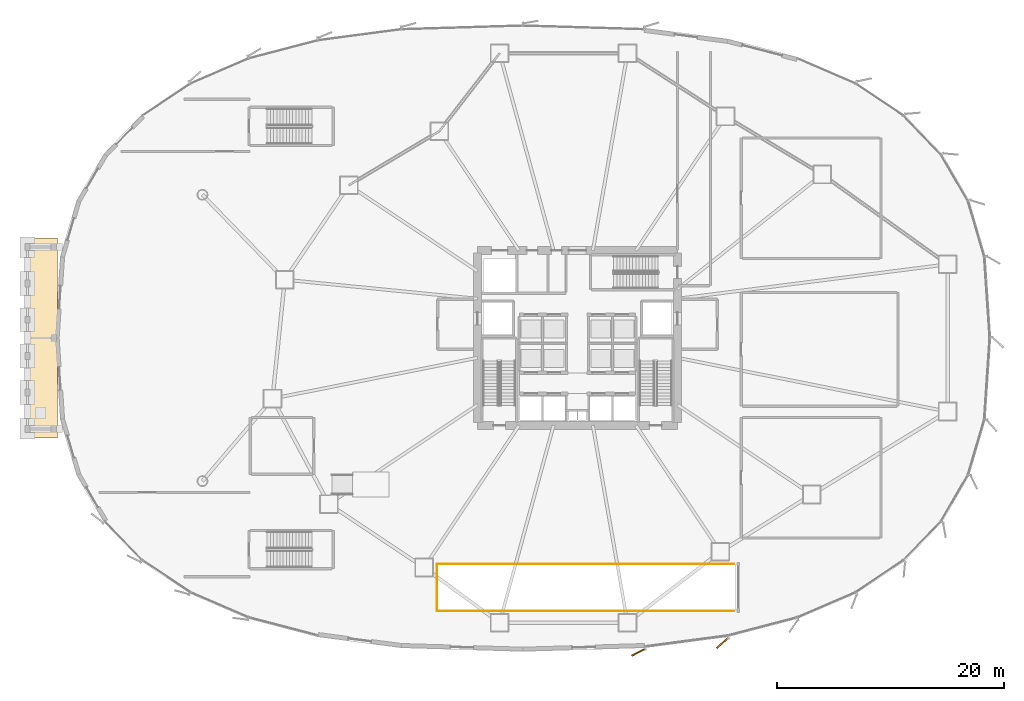
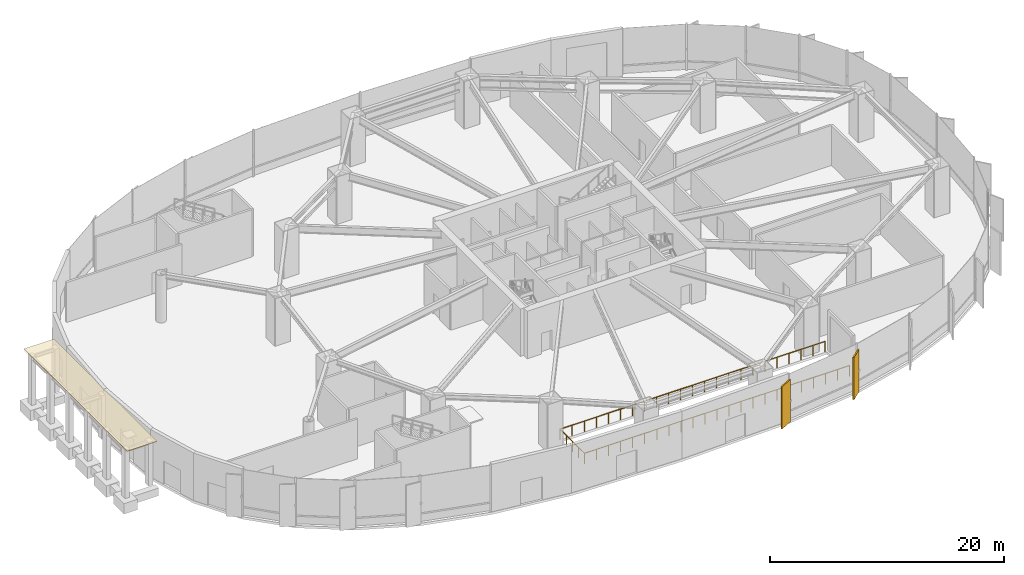
# One storey, part 30 of 35: 3 coverings, 3 railings.
"""IFC4 building model written with IfcOpenShell, lengths in metres."""

from ifc_helpers import new_model, si_unit, direction, frame, origin, origin_2d, place, context, subcontext, project, spatial, polyline, rectangle, circle, outline, extrude, source, transform, mapped, material, layer, layer_set, type_object, element, save


model = new_model("IFC4")

# Units and contexts
model_context = context("Model", 3, precision=1e-05, world=origin(), true_north=direction((0.0, 1.0)))
body_context = subcontext(model_context, "Body", "Model", "MODEL_VIEW")
ifc_project = project(units=[si_unit("LENGTHUNIT", "METRE"), si_unit("AREAUNIT", "SQUARE_METRE"), si_unit("VOLUMEUNIT", "CUBIC_METRE"), si_unit("PLANEANGLEUNIT", "RADIAN"), si_unit("MASSUNIT", "GRAM", prefix="KILO"), si_unit("THERMODYNAMICTEMPERATUREUNIT", "KELVIN")], contexts=[model_context])

# Site, building, storey
site_placement = place(None, origin())
site = spatial("IfcSite", under=ifc_project, at=site_placement, CompositionType="ELEMENT")
building_placement = place(site_placement, origin())
building = spatial("IfcBuilding", under=site, at=building_placement, Name="Kethvar Cultural Tower", CompositionType="ELEMENT")
storey_placement = place(building_placement, origin())
storey = spatial("IfcBuildingStorey", under=building, at=storey_placement, Name="L00", CompositionType="ELEMENT", Elevation=0.0)

# Covering
ifc_material_1 = material(Name="Insulated Waterproofing Membrane")
ifc_layer_1 = layer(ifc_material_1, 0.06005859375, Name="Insulated Waterproofing Membrane")
ifc_layer_set_1 = layer_set([ifc_layer_1], Name="Insulated Waterproofing Membrane (60 mm)")
covering_type_1 = type_object("IfcCoveringType", Name="CV-ROOF-MEMB", PredefinedType="ROOFING", material=ifc_layer_set_1)
covering_placement = place(storey_placement, frame((0.0, 0.0, 4.739990234375)))
element("IfcCovering", 1, at=covering_placement, inside=storey, type_object=covering_type_1, Name="West Entrance Canopy Waterproofing", PredefinedType="ROOFING", context=body_context, shape_type="SweptSolid", body=[
    extrude(outline(polyline([(-1.89990234375, 19.0), (1.050048828125, 19.0), (1.050048828125, 36.60009765625), (-1.89990234375, 36.60009765625), (-1.89990234375, 19.0)])), origin(), (0.0, 0.0, 1.0), 0.06005859375),
])

# Railings
ifc_material_2 = material(Name="Steel S355J2", Category="steel")
railing_type = type_object("IfcRailingType", Name="RL-STAIR-GUARD", PredefinedType="BALUSTRADE", material=ifc_material_2)
railing_1_placement = place(storey_placement, frame((60.550048828125, 3.77001953125, 0.0)))
element("IfcRailing", 2, at=railing_1_placement, inside=storey, type_object=railing_type, Name="L00 Vehicle Ramp Well Deck Guard S", PredefinedType="BALUSTRADE", context=body_context, shape_type="SweptSolid", body=[
    extrude(circle(Radius=0.02392578125, at=origin_2d()), frame((0.0, 0.0, 1.09619140625), z_axis=(-1.0, 0.0, 0.0), x_axis=(0.0, -1.0, 0.0)), (0.0, 0.0, 1.0), 26.130126953125),
    extrude(circle(Radius=0.02099609375, at=origin_2d()), origin(), (0.0, 0.0, 1.0), 1.072021484375),
    extrude(circle(Radius=0.02099609375, at=origin_2d()), frame((-1.187744140625, 0.0, 0.0)), (0.0, 0.0, 1.0), 1.072021484375),
    extrude(circle(Radius=0.02099609375, at=origin_2d()), frame((-2.37548828125, 0.0, 0.0)), (0.0, 0.0, 1.0), 1.072021484375),
    extrude(circle(Radius=0.02099609375, at=origin_2d()), frame((-3.563232421875, 0.0, 0.0)), (0.0, 0.0, 1.0), 1.072021484375),
    extrude(circle(Radius=0.02099609375, at=origin_2d()), frame((-4.7509765625, 0.0, 0.0)), (0.0, 0.0, 1.0), 1.072021484375),
    extrude(circle(Radius=0.02099609375, at=origin_2d()), frame((-5.938720703125, 0.0, 0.0)), (0.0, 0.0, 1.0), 1.072021484375),
    extrude(circle(Radius=0.02099609375, at=origin_2d()), frame((-7.12646484375, 0.0, 0.0)), (0.0, 0.0, 1.0), 1.072021484375),
    extrude(circle(Radius=0.02099609375, at=origin_2d()), frame((-8.314208984375, 0.0, 0.0)), (0.0, 0.0, 1.0), 1.072021484375),
    extrude(circle(Radius=0.02099609375, at=origin_2d()), frame((-9.501953125, 0.0, 0.0)), (0.0, 0.0, 1.0), 1.072021484375),
    extrude(circle(Radius=0.02099609375, at=origin_2d()), frame((-10.689697265625, 0.0, 0.0)), (0.0, 0.0, 1.0), 1.072021484375),
    extrude(circle(Radius=0.02099609375, at=origin_2d()), frame((-11.87744140625, 0.0, 0.0)), (0.0, 0.0, 1.0), 1.072021484375),
    extrude(circle(Radius=0.02099609375, at=origin_2d()), frame((-13.06494140625, 0.0, 0.0)), (0.0, 0.0, 1.0), 1.072021484375),
    extrude(circle(Radius=0.02099609375, at=origin_2d()), frame((-14.252685546875, 0.0, 0.0)), (0.0, 0.0, 1.0), 1.072021484375),
    extrude(circle(Radius=0.02099609375, at=origin_2d()), frame((-15.4404296875, 0.0, 0.0)), (0.0, 0.0, 1.0), 1.072021484375),
    extrude(circle(Radius=0.02099609375, at=origin_2d()), frame((-16.628173828125, 0.0, 0.0)), (0.0, 0.0, 1.0), 1.072021484375),
    extrude(circle(Radius=0.02099609375, at=origin_2d()), frame((-17.81591796875, 0.0, 0.0)), (0.0, 0.0, 1.0), 1.072021484375),
    extrude(circle(Radius=0.02099609375, at=origin_2d()), frame((-19.003662109375, 0.0, 0.0)), (0.0, 0.0, 1.0), 1.072021484375),
    extrude(circle(Radius=0.02099609375, at=origin_2d()), frame((-20.19140625, 0.0, 0.0)), (0.0, 0.0, 1.0), 1.072021484375),
    extrude(circle(Radius=0.02099609375, at=origin_2d()), frame((-21.379150390625, 0.0, 0.0)), (0.0, 0.0, 1.0), 1.072021484375),
    extrude(circle(Radius=0.02099609375, at=origin_2d()), frame((-22.56689453125, 0.0, 0.0)), (0.0, 0.0, 1.0), 1.072021484375),
    extrude(circle(Radius=0.02099609375, at=origin_2d()), frame((-23.754638671875, 0.0, 0.0)), (0.0, 0.0, 1.0), 1.072021484375),
    extrude(circle(Radius=0.02099609375, at=origin_2d()), frame((-24.9423828125, 0.0, 0.0)), (0.0, 0.0, 1.0), 1.072021484375),
    extrude(circle(Radius=0.02099609375, at=origin_2d()), frame((-26.130126953125, 0.0, 0.0)), (0.0, 0.0, 1.0), 1.072021484375),
])
railing_2_placement = place(storey_placement, frame((34.419921875, 3.77001953125, 0.0)))
element("IfcRailing", 3, at=railing_2_placement, inside=storey, type_object=railing_type, Name="L00 Vehicle Ramp Well Deck Guard W", PredefinedType="BALUSTRADE", context=body_context, shape_type="SweptSolid", body=[
    extrude(circle(Radius=0.02392578125, at=origin_2d()), frame((0.0, 0.0, 1.09619140625), z_axis=(0.0, 1.0, 0.0), x_axis=(-1.0, 0.0, 0.0)), (0.0, 0.0, 1.0), 4.159912109375),
    extrude(circle(Radius=0.02099609375, at=origin_2d()), origin(), (0.0, 0.0, 1.0), 1.072021484375),
    extrude(circle(Radius=0.02099609375, at=origin_2d()), frame((0.0, 1.0400390625, 0.0)), (0.0, 0.0, 1.0), 1.072021484375),
    extrude(circle(Radius=0.02099609375, at=origin_2d()), frame((0.0, 2.080078125, 0.0)), (0.0, 0.0, 1.0), 1.072021484375),
    extrude(circle(Radius=0.02099609375, at=origin_2d()), frame((0.0, 3.119873046875, 0.0)), (0.0, 0.0, 1.0), 1.072021484375),
    extrude(circle(Radius=0.02099609375, at=origin_2d()), frame((0.0, 4.159912109375, 0.0)), (0.0, 0.0, 1.0), 1.072021484375),
])
railing_3_placement = place(storey_placement, frame((34.419921875, 7.929931640625, 0.0)))
element("IfcRailing", 4, at=railing_3_placement, inside=storey, type_object=railing_type, Name="L00 Vehicle Ramp Well Deck Guard N", PredefinedType="BALUSTRADE", context=body_context, shape_type="SweptSolid", body=[
    extrude(circle(Radius=0.02392578125, at=origin_2d()), frame((0.0, 0.0, 1.09619140625), z_axis=(1.0, 0.0, 0.0), x_axis=(0.0, 1.0, 0.0)), (0.0, 0.0, 1.0), 26.130126953125),
    extrude(circle(Radius=0.02099609375, at=origin_2d()), origin(), (0.0, 0.0, 1.0), 1.072021484375),
    extrude(circle(Radius=0.02099609375, at=origin_2d()), frame((1.187744140625, 0.0, 0.0)), (0.0, 0.0, 1.0), 1.072021484375),
    extrude(circle(Radius=0.02099609375, at=origin_2d()), frame((2.37548828125, 0.0, 0.0)), (0.0, 0.0, 1.0), 1.072021484375),
    extrude(circle(Radius=0.02099609375, at=origin_2d()), frame((3.563232421875, 0.0, 0.0)), (0.0, 0.0, 1.0), 1.072021484375),
    extrude(circle(Radius=0.02099609375, at=origin_2d()), frame((4.7509765625, 0.0, 0.0)), (0.0, 0.0, 1.0), 1.072021484375),
    extrude(circle(Radius=0.02099609375, at=origin_2d()), frame((5.938720703125, 0.0, 0.0)), (0.0, 0.0, 1.0), 1.072021484375),
    extrude(circle(Radius=0.02099609375, at=origin_2d()), frame((7.12646484375, 0.0, 0.0)), (0.0, 0.0, 1.0), 1.072021484375),
    extrude(circle(Radius=0.02099609375, at=origin_2d()), frame((8.314208984375, 0.0, 0.0)), (0.0, 0.0, 1.0), 1.072021484375),
    extrude(circle(Radius=0.02099609375, at=origin_2d()), frame((9.501953125, 0.0, 0.0)), (0.0, 0.0, 1.0), 1.072021484375),
    extrude(circle(Radius=0.02099609375, at=origin_2d()), frame((10.689697265625, 0.0, 0.0)), (0.0, 0.0, 1.0), 1.072021484375),
    extrude(circle(Radius=0.02099609375, at=origin_2d()), frame((11.87744140625, 0.0, 0.0)), (0.0, 0.0, 1.0), 1.072021484375),
    extrude(circle(Radius=0.02099609375, at=origin_2d()), frame((13.06494140625, 0.0, 0.0)), (0.0, 0.0, 1.0), 1.072021484375),
    extrude(circle(Radius=0.02099609375, at=origin_2d()), frame((14.252685546875, 0.0, 0.0)), (0.0, 0.0, 1.0), 1.072021484375),
    extrude(circle(Radius=0.02099609375, at=origin_2d()), frame((15.4404296875, 0.0, 0.0)), (0.0, 0.0, 1.0), 1.072021484375),
    extrude(circle(Radius=0.02099609375, at=origin_2d()), frame((16.628173828125, 0.0, 0.0)), (0.0, 0.0, 1.0), 1.072021484375),
    extrude(circle(Radius=0.02099609375, at=origin_2d()), frame((17.81591796875, 0.0, 0.0)), (0.0, 0.0, 1.0), 1.072021484375),
    extrude(circle(Radius=0.02099609375, at=origin_2d()), frame((19.003662109375, 0.0, 0.0)), (0.0, 0.0, 1.0), 1.072021484375),
    extrude(circle(Radius=0.02099609375, at=origin_2d()), frame((20.19140625, 0.0, 0.0)), (0.0, 0.0, 1.0), 1.072021484375),
    extrude(circle(Radius=0.02099609375, at=origin_2d()), frame((21.379150390625, 0.0, 0.0)), (0.0, 0.0, 1.0), 1.072021484375),
    extrude(circle(Radius=0.02099609375, at=origin_2d()), frame((22.56689453125, 0.0, 0.0)), (0.0, 0.0, 1.0), 1.072021484375),
    extrude(circle(Radius=0.02099609375, at=origin_2d()), frame((23.754638671875, 0.0, 0.0)), (0.0, 0.0, 1.0), 1.072021484375),
    extrude(circle(Radius=0.02099609375, at=origin_2d()), frame((24.9423828125, 0.0, 0.0)), (0.0, 0.0, 1.0), 1.072021484375),
    extrude(circle(Radius=0.02099609375, at=origin_2d()), frame((26.130126953125, 0.0, 0.0)), (0.0, 0.0, 1.0), 1.072021484375),
])

# Coverings
ifc_material_3 = material(Name="Extruded Architectural Terracotta", Category="masonry")
ifc_layer_2 = layer(ifc_material_3, 0.135009765625, Name="Extruded Architectural Terracotta", Category="masonry")
ifc_layer_set_2 = layer_set([ifc_layer_2], Name="Extruded Architectural Terracotta (135 mm)")
covering_type_2 = type_object("IfcCoveringType", Name="Terracotta Facade Fin FIN-04", PredefinedType="CLADDING", material=ifc_layer_set_2)
shared_shape = source(origin(), body_context, "Body", "SweptSolid", [
    extrude(rectangle(XDim=1.35009765625, YDim=0.135009765625, at=origin_2d()), origin(), (0.0, 0.0, 1.0), 4.39990234375),
])
for number, where, z_axis, x_axis, name in (
    (5, (52.173095703125, 0.143798828125, 0.02001953125), (0.0, 0.0, 1.0), (-0.891085746907, -0.453834982851, 0.0), "L00 Vertical Terracotta Fin 4.1"),
    (6, (59.564697265625, 0.964599609375, 0.02001953125), (0.0, 0.0, 1.0), (-0.748608671094, -0.663012109666, 0.0), "L00 Vertical Terracotta Fin 4.2"),
):
    element("IfcCovering", number, at=place(storey_placement, frame(where, z_axis=z_axis, x_axis=x_axis)), inside=storey, type_object=covering_type_2, Name=name, PredefinedType="CLADDING", context=body_context, shape_type="MappedRepresentation", body=[
        mapped(shared_shape, transform((0.0, 0.0, 0.0), scale=1.0)),
    ])

save(model, "model.ifc")
